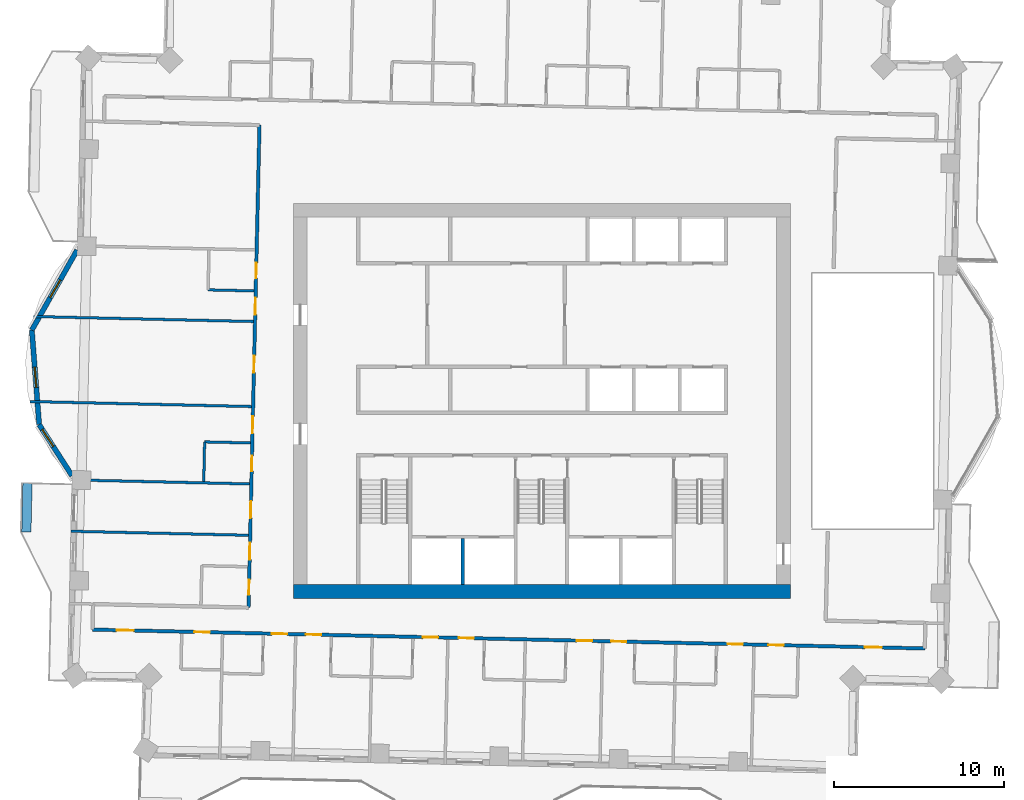
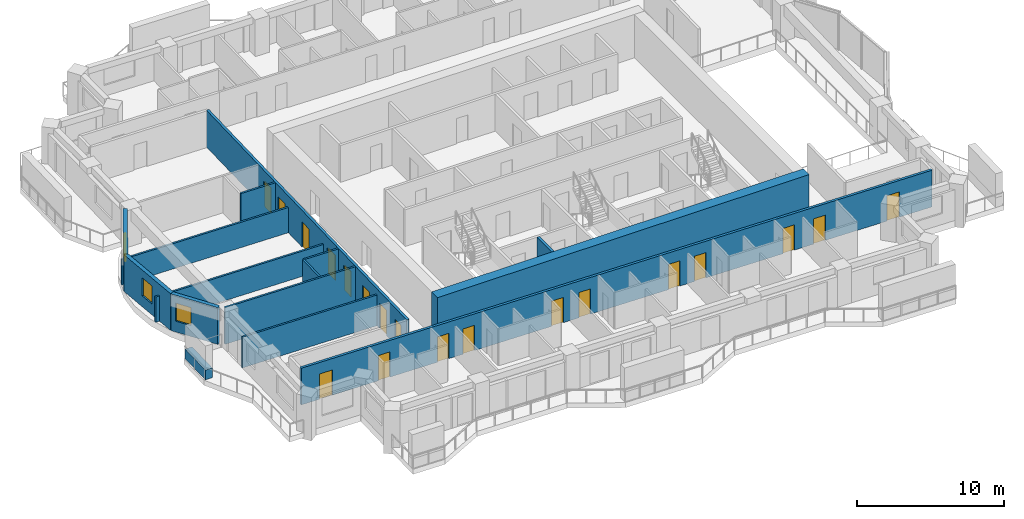
# One storey, part 7 of 16: 19 doors, 15 walls, 3 windows, 22 openings.
"""IFC4 building model written with IfcOpenShell, lengths in metres."""

from ifc_helpers import new_model, si_unit, direction, frame, frame_2d, origin, place, context, subcontext, project, spatial, rectangle, extrude, material, layer, layer_set, type_object, element, fill, save


model = new_model("IFC4")

# Units and contexts
model_context = context("Model", 3, precision=1e-05, world=origin(), true_north=direction((0.0, 1.0)))
body_context = subcontext(model_context, "Body", "Model", "MODEL_VIEW")
ifc_project = project(units=[si_unit("LENGTHUNIT", "METRE"), si_unit("AREAUNIT", "SQUARE_METRE"), si_unit("VOLUMEUNIT", "CUBIC_METRE"), si_unit("PLANEANGLEUNIT", "RADIAN"), si_unit("MASSUNIT", "GRAM", prefix="KILO")], contexts=[model_context])

# Site, building, storey
site_placement = place(None, origin())
site = spatial("IfcSite", under=ifc_project, at=site_placement, CompositionType="ELEMENT")
building_placement = place(site_placement, origin())
building = spatial("IfcBuilding", under=site, at=building_placement, Name="Mangrove Gate Tower", CompositionType="ELEMENT")
storey_placement = place(building_placement, frame((0.0, 0.0, 215.89990234375)))
storey = spatial("IfcBuildingStorey", under=building, at=storey_placement, Name="L55", CompositionType="ELEMENT", Elevation=215.89990234375)

# Walls
ifc_material_1 = material(Name="Concrete C60/75", Category="concrete")
ifc_layer_1 = layer(ifc_material_1, 0.199951171875)
ifc_layer_set_1 = layer_set([ifc_layer_1], Name="Core shaft wall 200 C60/75")
wall_type_1 = type_object("IfcWallType", Name="Core shaft wall 200 C60/75", PredefinedType="SHEAR", material=ifc_layer_set_1)
wall_1_placement = place(storey_placement, frame((-4.64990234375, -10.800048828125, 0.0), z_axis=(0.0, 0.0, 1.0), x_axis=(0.0, 1.0, 0.0)))
element("IfcWall", 1, at=wall_1_placement, inside=storey, type_object=wall_type_1, Name="WALL-L55-CORE-16", PredefinedType="SHEAR", context=body_context, shape_type="SweptSolid", body=[
    extrude(rectangle(XDim=2.699951171875, YDim=0.199951171875, at=frame_2d((1.35009765625, 0.0))), origin(), (0.0, 0.0, 1.0), 3.050048828125),
])
ifc_material_2 = material(Name="Concrete C60/75", Category="concrete")
ifc_layer_2 = layer(ifc_material_2, 0.800048828125)
ifc_layer_set_2 = layer_set([ifc_layer_2], Name="Core wall 800 C60/75")
wall_type_2 = type_object("IfcWallType", Name="Core wall 800 C60/75", PredefinedType="SHEAR", material=ifc_layer_set_2)
wall_2_placement = place(storey_placement, frame((-14.60009765625, -11.199951171875, 0.0), z_axis=(0.0, 0.0, 1.0), x_axis=(1.0, 0.0, 0.0)))
element("IfcWall", 2, at=wall_2_placement, inside=storey, type_object=wall_type_2, Name="WALL-L55-CORE-1", PredefinedType="SHEAR", context=body_context, shape_type="SweptSolid", body=[
    extrude(rectangle(XDim=29.2001953125, YDim=0.800048828125, at=frame_2d((14.60009765625, 0.0))), origin(), (0.0, 0.0, 1.0), 3.60009765625),
])

# Wall, openings, doors
ifc_material_3 = material(Name="Gypsum board on steel stud, EI 60", Category="steel")
ifc_layer_3 = layer(ifc_material_3, 0.199951171875)
ifc_layer_set_3 = layer_set([ifc_layer_3], Name="Corridor wall EI 60")
wall_type_3 = type_object("IfcWallType", Name="Corridor wall EI 60", PredefinedType="PARTITIONING", material=ifc_layer_set_3)
wall_3_placement = place(storey_placement, frame((-26.4208984375, -13.44091796875, 0.0), z_axis=(0.0, 0.0, 1.0), x_axis=(0.999742754064, -0.022680954485, 0.0)))
wall_3 = element("IfcWall", 3, at=wall_3_placement, inside=storey, type_object=wall_type_3, Name="WALL-L55-024", PredefinedType="PARTITIONING", context=body_context, shape_type="SweptSolid", body=[
    extrude(rectangle(XDim=48.944580078125, YDim=0.199951171875, at=frame_2d((24.47216796875, 0.0))), origin(), (0.0, 0.0, 1.0), 3.050048828125),
])
opening_1_placement = place(wall_3_placement, frame((1.425048828125, 0.0, 0.0)))
opening_1 = element("IfcOpeningElement", 4, at=opening_1_placement, cuts=wall_3, Name="Opening AD", PredefinedType="OPENING", context=body_context, shape_type="SweptSolid", body=[
    extrude(rectangle(XDim=1.0, YDim=2.10009765625, at=frame_2d((0.5, 1.050048828125))), frame((0.0, 0.10986328125, 0.0), z_axis=(0.0, -1.0, 0.0), x_axis=(1.0, 0.0, 0.0)), (0.0, 0.0, 1.0), 0.219970703125),
])
opening_2_placement = place(wall_3_placement, frame((6.0, 0.0, 0.0)))
opening_2 = element("IfcOpeningElement", 5, at=opening_2_placement, cuts=wall_3, Name="Opening SD", PredefinedType="OPENING", context=body_context, shape_type="SweptSolid", body=[
    extrude(rectangle(XDim=0.89990234375, YDim=2.10009765625, at=frame_2d((0.449951171875, 1.050048828125))), frame((0.0, 0.10986328125, 0.0), z_axis=(0.0, -1.0, 0.0), x_axis=(1.0, 0.0, 0.0)), (0.0, 0.0, 1.0), 0.219970703125),
])
opening_3_placement = place(wall_3_placement, frame((10.550048828125, 0.0, 0.0)))
opening_3 = element("IfcOpeningElement", 6, at=opening_3_placement, cuts=wall_3, Name="Opening BD", PredefinedType="OPENING", context=body_context, shape_type="SweptSolid", body=[
    extrude(rectangle(XDim=0.89990234375, YDim=2.10009765625, at=frame_2d((0.449951171875, 1.050048828125))), frame((0.0, 0.10986328125, 0.0), z_axis=(0.0, -1.0, 0.0), x_axis=(1.0, 0.0, 0.0)), (0.0, 0.0, 1.0), 0.219970703125),
])
opening_4_placement = place(wall_3_placement, frame((12.550048828125, 0.0, 0.0)))
opening_4 = element("IfcOpeningElement", 7, at=opening_4_placement, cuts=wall_3, Name="Opening BD", PredefinedType="OPENING", context=body_context, shape_type="SweptSolid", body=[
    extrude(rectangle(XDim=0.89990234375, YDim=2.10009765625, at=frame_2d((0.449951171875, 1.050048828125))), frame((0.0, 0.10986328125, 0.0), z_axis=(0.0, -1.0, 0.0), x_axis=(1.0, 0.0, 0.0)), (0.0, 0.0, 1.0), 0.219970703125),
])
opening_5_placement = place(wall_3_placement, frame((19.425048828125, 0.0, 0.0)))
opening_5 = element("IfcOpeningElement", 8, at=opening_5_placement, cuts=wall_3, Name="Opening BD", PredefinedType="OPENING", context=body_context, shape_type="SweptSolid", body=[
    extrude(rectangle(XDim=0.89990234375, YDim=2.10009765625, at=frame_2d((0.449951171875, 1.050048828125))), frame((0.0, 0.10986328125, 0.0), z_axis=(0.0, -1.0, 0.0), x_axis=(1.0, 0.0, 0.0)), (0.0, 0.0, 1.0), 0.219970703125),
])
opening_6_placement = place(wall_3_placement, frame((21.52490234375, 0.0, 0.0)))
opening_6 = element("IfcOpeningElement", 9, at=opening_6_placement, cuts=wall_3, Name="Opening BD", PredefinedType="OPENING", context=body_context, shape_type="SweptSolid", body=[
    extrude(rectangle(XDim=0.89990234375, YDim=2.10009765625, at=frame_2d((0.449951171875, 1.050048828125))), frame((0.0, 0.10986328125, 0.0), z_axis=(0.0, -1.0, 0.0), x_axis=(1.0, 0.0, 0.0)), (0.0, 0.0, 1.0), 0.219970703125),
])
opening_7_placement = place(wall_3_placement, frame((28.47509765625, 0.0, 0.0)))
opening_7 = element("IfcOpeningElement", 10, at=opening_7_placement, cuts=wall_3, Name="Opening BD", PredefinedType="OPENING", context=body_context, shape_type="SweptSolid", body=[
    extrude(rectangle(XDim=0.89990234375, YDim=2.10009765625, at=frame_2d((0.449951171875, 1.050048828125))), frame((0.0, 0.10986328125, 0.0), z_axis=(0.0, -1.0, 0.0), x_axis=(1.0, 0.0, 0.0)), (0.0, 0.0, 1.0), 0.219970703125),
])
opening_8_placement = place(wall_3_placement, frame((30.5, 0.0, 0.0)))
opening_8 = element("IfcOpeningElement", 11, at=opening_8_placement, cuts=wall_3, Name="Opening BD", PredefinedType="OPENING", context=body_context, shape_type="SweptSolid", body=[
    extrude(rectangle(XDim=0.89990234375, YDim=2.10009765625, at=frame_2d((0.449951171875, 1.050048828125))), frame((0.0, 0.10986328125, 0.0), z_axis=(0.0, -1.0, 0.0), x_axis=(1.0, 0.0, 0.0)), (0.0, 0.0, 1.0), 0.219970703125),
])
opening_9_placement = place(wall_3_placement, frame((37.35009765625, 0.0, 0.0)))
opening_9 = element("IfcOpeningElement", 12, at=opening_9_placement, cuts=wall_3, Name="Opening BD", PredefinedType="OPENING", context=body_context, shape_type="SweptSolid", body=[
    extrude(rectangle(XDim=0.89990234375, YDim=2.10009765625, at=frame_2d((0.449951171875, 1.050048828125))), frame((0.0, 0.10986328125, 0.0), z_axis=(0.0, -1.0, 0.0), x_axis=(1.0, 0.0, 0.0)), (0.0, 0.0, 1.0), 0.219970703125),
])
opening_10_placement = place(wall_3_placement, frame((45.422119140625, 0.0, 0.0)))
opening_10 = element("IfcOpeningElement", 13, at=opening_10_placement, cuts=wall_3, Name="Opening AD", PredefinedType="OPENING", context=body_context, shape_type="SweptSolid", body=[
    extrude(rectangle(XDim=1.0, YDim=2.10009765625, at=frame_2d((0.5, 1.050048828125))), frame((0.0, 0.10986328125, 0.0), z_axis=(0.0, -1.0, 0.0), x_axis=(1.0, 0.0, 0.0)), (0.0, 0.0, 1.0), 0.219970703125),
])
opening_11_placement = place(wall_3_placement, frame((39.75, 0.0, 0.0)))
opening_11 = element("IfcOpeningElement", 14, at=opening_11_placement, cuts=wall_3, Name="Opening SD", PredefinedType="OPENING", context=body_context, shape_type="SweptSolid", body=[
    extrude(rectangle(XDim=0.89990234375, YDim=2.10009765625, at=frame_2d((0.449951171875, 1.050048828125))), frame((0.0, 0.10986328125, 0.0), z_axis=(0.0, -1.0, 0.0), x_axis=(1.0, 0.0, 0.0)), (0.0, 0.0, 1.0), 0.219970703125),
])
ifc_material_4 = material(Name="Timber door leaf", Category="wood")
door_type_1 = type_object("IfcDoorType", Name="Amenity door 1000", OperationType="SINGLE_SWING_LEFT", PredefinedType="DOOR", material=ifc_material_4)
door_1_placement = place(opening_1_placement, origin())
door_1 = element("IfcDoor", 15, at=door_1_placement, inside=storey, type_object=door_type_1, Name="DOOR-L55-LNG-c1a", OperationType="SINGLE_SWING_LEFT", OverallHeight=2.10009765625, OverallWidth=1.0, PredefinedType="DOOR", context=body_context, shape_type="SweptSolid", body=[
    extrude(rectangle(XDim=1.0, YDim=2.10009765625, at=frame_2d((0.5, 1.050048828125))), frame((0.0, 0.02490234375, 0.0), z_axis=(0.0, -1.0, 0.0), x_axis=(1.0, 0.0, 0.0)), (0.0, 0.0, 1.0), 0.050048828125),
])
fill(opening_1, door_1)
door_2_placement = place(opening_10_placement, origin())
door_2 = element("IfcDoor", 16, at=door_2_placement, inside=storey, type_object=door_type_1, Name="DOOR-L55-GAM-c3a", OperationType="SINGLE_SWING_RIGHT", OverallHeight=2.10009765625, OverallWidth=1.0, PredefinedType="DOOR", context=body_context, shape_type="SweptSolid", body=[
    extrude(rectangle(XDim=1.0, YDim=2.10009765625, at=frame_2d((0.5, 1.050048828125))), frame((0.0, 0.02490234375, 0.0), z_axis=(0.0, -1.0, 0.0), x_axis=(1.0, 0.0, 0.0)), (0.0, 0.0, 1.0), 0.050048828125),
])
fill(opening_10, door_2)
ifc_material_5 = material(Name="Timber door leaf", Category="wood")
door_type_2 = type_object("IfcDoorType", Name="Bedroom door 900", OperationType="SINGLE_SWING_LEFT", PredefinedType="DOOR", material=ifc_material_5)
door_3_placement = place(opening_3_placement, origin())
door_3 = element("IfcDoor", 17, at=door_3_placement, inside=storey, type_object=door_type_2, Name="DOOR-L55-BED-c101", OperationType="SINGLE_SWING_LEFT", OverallHeight=2.10009765625, OverallWidth=0.89990234375, PredefinedType="DOOR", context=body_context, shape_type="SweptSolid", body=[
    extrude(rectangle(XDim=0.89990234375, YDim=2.10009765625, at=frame_2d((0.449951171875, 1.050048828125))), frame((0.0, 0.02490234375, 0.0), z_axis=(0.0, -1.0, 0.0), x_axis=(1.0, 0.0, 0.0)), (0.0, 0.0, 1.0), 0.050048828125),
])
fill(opening_3, door_3)
door_4_placement = place(opening_4_placement, origin())
door_4 = element("IfcDoor", 18, at=door_4_placement, inside=storey, type_object=door_type_2, Name="DOOR-L55-BED-c102", OperationType="SINGLE_SWING_RIGHT", OverallHeight=2.10009765625, OverallWidth=0.89990234375, PredefinedType="DOOR", context=body_context, shape_type="SweptSolid", body=[
    extrude(rectangle(XDim=0.89990234375, YDim=2.10009765625, at=frame_2d((0.449951171875, 1.050048828125))), frame((0.0, 0.02490234375, 0.0), z_axis=(0.0, -1.0, 0.0), x_axis=(1.0, 0.0, 0.0)), (0.0, 0.0, 1.0), 0.050048828125),
])
fill(opening_4, door_4)
door_5_placement = place(opening_5_placement, origin())
door_5 = element("IfcDoor", 19, at=door_5_placement, inside=storey, type_object=door_type_2, Name="DOOR-L55-BED-c103", OperationType="SINGLE_SWING_LEFT", OverallHeight=2.10009765625, OverallWidth=0.89990234375, PredefinedType="DOOR", context=body_context, shape_type="SweptSolid", body=[
    extrude(rectangle(XDim=0.89990234375, YDim=2.10009765625, at=frame_2d((0.449951171875, 1.050048828125))), frame((0.0, 0.02490234375, 0.0), z_axis=(0.0, -1.0, 0.0), x_axis=(1.0, 0.0, 0.0)), (0.0, 0.0, 1.0), 0.050048828125),
])
fill(opening_5, door_5)
door_6_placement = place(opening_6_placement, origin())
door_6 = element("IfcDoor", 20, at=door_6_placement, inside=storey, type_object=door_type_2, Name="DOOR-L55-BED-c204", OperationType="SINGLE_SWING_RIGHT", OverallHeight=2.10009765625, OverallWidth=0.89990234375, PredefinedType="DOOR", context=body_context, shape_type="SweptSolid", body=[
    extrude(rectangle(XDim=0.89990234375, YDim=2.10009765625, at=frame_2d((0.449951171875, 1.050048828125))), frame((0.0, 0.02490234375, 0.0), z_axis=(0.0, -1.0, 0.0), x_axis=(1.0, 0.0, 0.0)), (0.0, 0.0, 1.0), 0.050048828125),
])
fill(opening_6, door_6)
door_7_placement = place(opening_7_placement, origin())
door_7 = element("IfcDoor", 21, at=door_7_placement, inside=storey, type_object=door_type_2, Name="DOOR-L55-BED-c205", OperationType="SINGLE_SWING_LEFT", OverallHeight=2.10009765625, OverallWidth=0.89990234375, PredefinedType="DOOR", context=body_context, shape_type="SweptSolid", body=[
    extrude(rectangle(XDim=0.89990234375, YDim=2.10009765625, at=frame_2d((0.449951171875, 1.050048828125))), frame((0.0, 0.02490234375, 0.0), z_axis=(0.0, -1.0, 0.0), x_axis=(1.0, 0.0, 0.0)), (0.0, 0.0, 1.0), 0.050048828125),
])
fill(opening_7, door_7)
door_8_placement = place(opening_8_placement, origin())
door_8 = element("IfcDoor", 22, at=door_8_placement, inside=storey, type_object=door_type_2, Name="DOOR-L55-BED-c206", OperationType="SINGLE_SWING_RIGHT", OverallHeight=2.10009765625, OverallWidth=0.89990234375, PredefinedType="DOOR", context=body_context, shape_type="SweptSolid", body=[
    extrude(rectangle(XDim=0.89990234375, YDim=2.10009765625, at=frame_2d((0.449951171875, 1.050048828125))), frame((0.0, 0.02490234375, 0.0), z_axis=(0.0, -1.0, 0.0), x_axis=(1.0, 0.0, 0.0)), (0.0, 0.0, 1.0), 0.050048828125),
])
fill(opening_8, door_8)
door_9_placement = place(opening_9_placement, origin())
door_9 = element("IfcDoor", 23, at=door_9_placement, inside=storey, type_object=door_type_2, Name="DOOR-L55-BED-c307", OperationType="SINGLE_SWING_LEFT", OverallHeight=2.10009765625, OverallWidth=0.89990234375, PredefinedType="DOOR", context=body_context, shape_type="SweptSolid", body=[
    extrude(rectangle(XDim=0.89990234375, YDim=2.10009765625, at=frame_2d((0.449951171875, 1.050048828125))), frame((0.0, 0.02490234375, 0.0), z_axis=(0.0, -1.0, 0.0), x_axis=(1.0, 0.0, 0.0)), (0.0, 0.0, 1.0), 0.050048828125),
])
fill(opening_9, door_9)
ifc_material_6 = material(Name="Timber door leaf", Category="wood")
door_type_3 = type_object("IfcDoorType", Name="Service room door 900", OperationType="SINGLE_SWING_LEFT", PredefinedType="DOOR", material=ifc_material_6)
door_10_placement = place(opening_2_placement, origin())
door_10 = element("IfcDoor", 24, at=door_10_placement, inside=storey, type_object=door_type_3, Name="DOOR-L55-LIN-c1a", OperationType="SINGLE_SWING_LEFT", OverallHeight=2.10009765625, OverallWidth=0.89990234375, PredefinedType="DOOR", context=body_context, shape_type="SweptSolid", body=[
    extrude(rectangle(XDim=0.89990234375, YDim=2.10009765625, at=frame_2d((0.449951171875, 1.050048828125))), frame((0.0, 0.02490234375, 0.0), z_axis=(0.0, -1.0, 0.0), x_axis=(1.0, 0.0, 0.0)), (0.0, 0.0, 1.0), 0.050048828125),
])
fill(opening_2, door_10)
door_11_placement = place(opening_11_placement, origin())
door_11 = element("IfcDoor", 25, at=door_11_placement, inside=storey, type_object=door_type_3, Name="DOOR-L55-AWC-c3a", OperationType="SINGLE_SWING_RIGHT", OverallHeight=2.10009765625, OverallWidth=0.89990234375, PredefinedType="DOOR", context=body_context, shape_type="SweptSolid", body=[
    extrude(rectangle(XDim=0.89990234375, YDim=2.10009765625, at=frame_2d((0.449951171875, 1.050048828125))), frame((0.0, 0.02490234375, 0.0), z_axis=(0.0, -1.0, 0.0), x_axis=(1.0, 0.0, 0.0)), (0.0, 0.0, 1.0), 0.050048828125),
])
fill(opening_11, door_11)

wall_4_placement = place(storey_placement, frame((-17.2470703125, -12.14892578125, 0.0), z_axis=(0.0, 0.0, 1.0), x_axis=(0.022698146637, 0.999742363881, 0.0)))
wall_4 = element("IfcWall", 26, at=wall_4_placement, inside=storey, type_object=wall_type_3, Name="WALL-L55-030", PredefinedType="PARTITIONING", context=body_context, shape_type="SweptSolid", body=[
    extrude(rectangle(XDim=28.374267578125, YDim=0.199951171875, at=frame_2d((14.18701171875, 0.0))), origin(), (0.0, 0.0, 1.0), 3.050048828125),
])
opening_12_placement = place(wall_4_placement, frame((17.22509765625, 0.0, 0.0)))
opening_12 = element("IfcOpeningElement", 27, at=opening_12_placement, cuts=wall_4, Name="Opening AD", PredefinedType="OPENING", context=body_context, shape_type="SweptSolid", body=[
    extrude(rectangle(XDim=1.0, YDim=2.10009765625, at=frame_2d((0.5, 1.050048828125))), frame((0.0, 0.10986328125, 0.0), z_axis=(0.0, -1.0, 0.0), x_axis=(1.0, 0.0, 0.0)), (0.0, 0.0, 1.0), 0.219970703125),
])
opening_13_placement = place(wall_4_placement, frame((19.375, 0.0, 0.0)))
opening_13 = element("IfcOpeningElement", 28, at=opening_13_placement, cuts=wall_4, Name="Opening SD", PredefinedType="OPENING", context=body_context, shape_type="SweptSolid", body=[
    extrude(rectangle(XDim=0.89990234375, YDim=2.10009765625, at=frame_2d((0.449951171875, 1.050048828125))), frame((0.0, 0.10986328125, 0.0), z_axis=(0.0, -1.0, 0.0), x_axis=(1.0, 0.0, 0.0)), (0.0, 0.0, 1.0), 0.219970703125),
])
opening_14_placement = place(wall_4_placement, frame((13.822021484375, 0.0, 0.0)))
opening_14 = element("IfcOpeningElement", 29, at=opening_14_placement, cuts=wall_4, Name="Opening AD", PredefinedType="OPENING", context=body_context, shape_type="SweptSolid", body=[
    extrude(rectangle(XDim=1.0, YDim=2.10009765625, at=frame_2d((0.5, 1.050048828125))), frame((0.0, 0.10986328125, 0.0), z_axis=(0.0, -1.0, 0.0), x_axis=(1.0, 0.0, 0.0)), (0.0, 0.0, 1.0), 0.219970703125),
])
opening_15_placement = place(wall_4_placement, frame((10.25, 0.0, 0.0)))
opening_15 = element("IfcOpeningElement", 30, at=opening_15_placement, cuts=wall_4, Name="Opening AD", PredefinedType="OPENING", context=body_context, shape_type="SweptSolid", body=[
    extrude(rectangle(XDim=1.0, YDim=2.10009765625, at=frame_2d((0.5, 1.050048828125))), frame((0.0, 0.10986328125, 0.0), z_axis=(0.0, -1.0, 0.0), x_axis=(1.0, 0.0, 0.0)), (0.0, 0.0, 1.0), 0.219970703125),
])
opening_16_placement = place(wall_4_placement, frame((8.02490234375, 0.0, 0.0)))
opening_16 = element("IfcOpeningElement", 31, at=opening_16_placement, cuts=wall_4, Name="Opening SD", PredefinedType="OPENING", context=body_context, shape_type="SweptSolid", body=[
    extrude(rectangle(XDim=0.89990234375, YDim=2.10009765625, at=frame_2d((0.449951171875, 1.050048828125))), frame((0.0, 0.10986328125, 0.0), z_axis=(0.0, -1.0, 0.0), x_axis=(1.0, 0.0, 0.0)), (0.0, 0.0, 1.0), 0.219970703125),
])
opening_17_placement = place(wall_4_placement, frame((5.261962890625, 0.0, 0.0)))
opening_17 = element("IfcOpeningElement", 32, at=opening_17_placement, cuts=wall_4, Name="Opening AD", PredefinedType="OPENING", context=body_context, shape_type="SweptSolid", body=[
    extrude(rectangle(XDim=1.0, YDim=2.10009765625, at=frame_2d((0.5, 1.050048828125))), frame((0.0, 0.10986328125, 0.0), z_axis=(0.0, -1.0, 0.0), x_axis=(1.0, 0.0, 0.0)), (0.0, 0.0, 1.0), 0.219970703125),
])
opening_18_placement = place(wall_4_placement, frame((2.824951171875, 0.0, 0.0)))
opening_18 = element("IfcOpeningElement", 33, at=opening_18_placement, cuts=wall_4, Name="Opening AD", PredefinedType="OPENING", context=body_context, shape_type="SweptSolid", body=[
    extrude(rectangle(XDim=1.0, YDim=2.10009765625, at=frame_2d((0.5, 1.050048828125))), frame((0.0, 0.10986328125, 0.0), z_axis=(0.0, -1.0, 0.0), x_axis=(1.0, 0.0, 0.0)), (0.0, 0.0, 1.0), 0.219970703125),
])
opening_19_placement = place(wall_4_placement, frame((0.75, 0.0, 0.0)))
opening_19 = element("IfcOpeningElement", 34, at=opening_19_placement, cuts=wall_4, Name="Opening SD", PredefinedType="OPENING", context=body_context, shape_type="SweptSolid", body=[
    extrude(rectangle(XDim=0.89990234375, YDim=2.10009765625, at=frame_2d((0.449951171875, 1.050048828125))), frame((0.0, 0.10986328125, 0.0), z_axis=(0.0, -1.0, 0.0), x_axis=(1.0, 0.0, 0.0)), (0.0, 0.0, 1.0), 0.219970703125),
])
door_12_placement = place(opening_12_placement, origin())
door_12 = element("IfcDoor", 35, at=door_12_placement, inside=storey, type_object=door_type_1, Name="DOOR-L55-STU-c5a", OperationType="SINGLE_SWING_RIGHT", OverallHeight=2.10009765625, OverallWidth=1.0, PredefinedType="DOOR", context=body_context, shape_type="SweptSolid", body=[
    extrude(rectangle(XDim=1.0, YDim=2.10009765625, at=frame_2d((0.5, 1.050048828125))), frame((0.0, 0.02490234375, 0.0), z_axis=(0.0, -1.0, 0.0), x_axis=(1.0, 0.0, 0.0)), (0.0, 0.0, 1.0), 0.050048828125),
])
fill(opening_12, door_12)
door_13_placement = place(opening_14_placement, origin())
door_13 = element("IfcDoor", 36, at=door_13_placement, inside=storey, type_object=door_type_1, Name="DOOR-L55-LNG-c5c", OperationType="SINGLE_SWING_LEFT", OverallHeight=2.10009765625, OverallWidth=1.0, PredefinedType="DOOR", context=body_context, shape_type="SweptSolid", body=[
    extrude(rectangle(XDim=1.0, YDim=2.10009765625, at=frame_2d((0.5, 1.050048828125))), frame((0.0, 0.02490234375, 0.0), z_axis=(0.0, -1.0, 0.0), x_axis=(1.0, 0.0, 0.0)), (0.0, 0.0, 1.0), 0.050048828125),
])
fill(opening_14, door_13)
door_14_placement = place(opening_15_placement, origin())
door_14 = element("IfcDoor", 37, at=door_14_placement, inside=storey, type_object=door_type_1, Name="DOOR-L55-LNG-c5d", OperationType="SINGLE_SWING_RIGHT", OverallHeight=2.10009765625, OverallWidth=1.0, PredefinedType="DOOR", context=body_context, shape_type="SweptSolid", body=[
    extrude(rectangle(XDim=1.0, YDim=2.10009765625, at=frame_2d((0.5, 1.050048828125))), frame((0.0, 0.02490234375, 0.0), z_axis=(0.0, -1.0, 0.0), x_axis=(1.0, 0.0, 0.0)), (0.0, 0.0, 1.0), 0.050048828125),
])
fill(opening_15, door_14)
door_15_placement = place(opening_17_placement, origin())
door_15 = element("IfcDoor", 38, at=door_15_placement, inside=storey, type_object=door_type_1, Name="DOOR-L55-STU-c5b", OperationType="SINGLE_SWING_LEFT", OverallHeight=2.10009765625, OverallWidth=1.0, PredefinedType="DOOR", context=body_context, shape_type="SweptSolid", body=[
    extrude(rectangle(XDim=1.0, YDim=2.10009765625, at=frame_2d((0.5, 1.050048828125))), frame((0.0, 0.02490234375, 0.0), z_axis=(0.0, -1.0, 0.0), x_axis=(1.0, 0.0, 0.0)), (0.0, 0.0, 1.0), 0.050048828125),
])
fill(opening_17, door_15)
door_16_placement = place(opening_18_placement, origin())
door_16 = element("IfcDoor", 39, at=door_16_placement, inside=storey, type_object=door_type_1, Name="DOOR-L55-LNG-c5e", OperationType="SINGLE_SWING_RIGHT", OverallHeight=2.10009765625, OverallWidth=1.0, PredefinedType="DOOR", context=body_context, shape_type="SweptSolid", body=[
    extrude(rectangle(XDim=1.0, YDim=2.10009765625, at=frame_2d((0.5, 1.050048828125))), frame((0.0, 0.02490234375, 0.0), z_axis=(0.0, -1.0, 0.0), x_axis=(1.0, 0.0, 0.0)), (0.0, 0.0, 1.0), 0.050048828125),
])
fill(opening_18, door_16)
door_17_placement = place(opening_13_placement, origin())
door_17 = element("IfcDoor", 40, at=door_17_placement, inside=storey, type_object=door_type_3, Name="DOOR-L55-WC-c5a", OperationType="SINGLE_SWING_RIGHT", OverallHeight=2.10009765625, OverallWidth=0.89990234375, PredefinedType="DOOR", context=body_context, shape_type="SweptSolid", body=[
    extrude(rectangle(XDim=0.89990234375, YDim=2.10009765625, at=frame_2d((0.449951171875, 1.050048828125))), frame((0.0, 0.02490234375, 0.0), z_axis=(0.0, -1.0, 0.0), x_axis=(1.0, 0.0, 0.0)), (0.0, 0.0, 1.0), 0.050048828125),
])
fill(opening_13, door_17)
door_18_placement = place(opening_16_placement, origin())
door_18 = element("IfcDoor", 41, at=door_18_placement, inside=storey, type_object=door_type_3, Name="DOOR-L55-WC-c5b", OperationType="SINGLE_SWING_LEFT", OverallHeight=2.10009765625, OverallWidth=0.89990234375, PredefinedType="DOOR", context=body_context, shape_type="SweptSolid", body=[
    extrude(rectangle(XDim=0.89990234375, YDim=2.10009765625, at=frame_2d((0.449951171875, 1.050048828125))), frame((0.0, 0.02490234375, 0.0), z_axis=(0.0, -1.0, 0.0), x_axis=(1.0, 0.0, 0.0)), (0.0, 0.0, 1.0), 0.050048828125),
])
fill(opening_16, door_18)
door_19_placement = place(opening_19_placement, origin())
door_19 = element("IfcDoor", 42, at=door_19_placement, inside=storey, type_object=door_type_3, Name="DOOR-L55-WC-c5c", OperationType="SINGLE_SWING_RIGHT", OverallHeight=2.10009765625, OverallWidth=0.89990234375, PredefinedType="DOOR", context=body_context, shape_type="SweptSolid", body=[
    extrude(rectangle(XDim=0.89990234375, YDim=2.10009765625, at=frame_2d((0.449951171875, 1.050048828125))), frame((0.0, 0.02490234375, 0.0), z_axis=(0.0, -1.0, 0.0), x_axis=(1.0, 0.0, 0.0)), (0.0, 0.0, 1.0), 0.050048828125),
])
fill(opening_19, door_19)

# Wall, opening, window
ifc_material_7 = material(Name="Limestone", Category="masonry")
ifc_layer_4 = layer(ifc_material_7, 0.0400390625, Name="Limestone cladding")
ifc_material_8 = material(Name="Ventilated air gap")
ifc_layer_5 = layer(ifc_material_8, 0.0400390625, Name="Ventilated cavity")
ifc_material_9 = material(Name="Mineral wool insulation")
ifc_layer_6 = layer(ifc_material_9, 0.06005859375, Name="Insulation")
ifc_material_10 = material(Name="Breather membrane")
ifc_layer_7 = layer(ifc_material_10, 0.001953125, Name="Breather membrane")
ifc_material_11 = material(Name="Concrete C20/25 blockwork", Category="masonry")
ifc_layer_8 = layer(ifc_material_11, 0.14990234375, Name="Blockwork backing wall")
ifc_material_12 = material(Name="Gypsum plaster")
ifc_layer_9 = layer(ifc_material_12, 0.008056640625, Name="Internal plaster")
ifc_layer_set_4 = layer_set([ifc_layer_4, ifc_layer_5, ifc_layer_6, ifc_layer_7, ifc_layer_8, ifc_layer_9], Name="External wall 300 limestone cladding")
wall_type_4 = type_object("IfcWallType", Name="External wall 300 limestone cladding", PredefinedType="SOLIDWALL", material=ifc_layer_set_4)
wall_5_placement = place(storey_placement, frame((-27.324951171875, 8.865966796875, 0.0), z_axis=(0.0, 0.0, 1.0), x_axis=(-0.492554919955, -0.870281363025, 0.0)))
wall_5 = element("IfcWall", 43, at=wall_5_placement, inside=storey, type_object=wall_type_4, Name="WALL-L55-W9f1", PredefinedType="SOLIDWALL", context=body_context, shape_type="SweptSolid", body=[
    extrude(rectangle(XDim=5.398193359375, YDim=0.300048828125, at=frame_2d((2.69921875, 0.0))), origin(), (0.0, 0.0, 1.0), 3.050048828125),
])
opening_20_placement = place(wall_5_placement, frame((2.008056640625, 0.0, 0.89990234375)))
opening_20 = element("IfcOpeningElement", 44, at=opening_20_placement, cuts=wall_5, Name="Opening W1", PredefinedType="OPENING", context=body_context, shape_type="SweptSolid", body=[
    extrude(rectangle(XDim=1.199951171875, YDim=1.5, at=frame_2d((0.60009765625, 0.75))), frame((0.0, 0.159912109375, 0.0), z_axis=(0.0, -1.0, 0.0), x_axis=(1.0, 0.0, 0.0)), (0.0, 0.0, 1.0), 0.320068359375),
])
ifc_material_13 = material(Name="Aluminium frame with double-glazed low-e glass", Category="aluminium")
window_type = type_object("IfcWindowType", Name="Side lite 1200x1500", PartitioningType="SINGLE_PANEL", PredefinedType="WINDOW", material=ifc_material_13)
window_1_placement = place(opening_20_placement, origin())
window_1 = element("IfcWindow", 45, at=window_1_placement, inside=storey, type_object=window_type, Name="WIN-L55-W9f1", OverallHeight=1.5, OverallWidth=1.199951171875, PartitioningType="SINGLE_PANEL", PredefinedType="WINDOW", context=body_context, shape_type="SweptSolid", body=[
    extrude(rectangle(XDim=1.199951171875, YDim=1.5, at=frame_2d((0.60009765625, 0.75))), frame((0.0, 0.030029296875, 0.0), z_axis=(0.0, -1.0, 0.0), x_axis=(1.0, 0.0, 0.0)), (0.0, 0.0, 1.0), 0.06005859375),
])
fill(opening_20, window_1)

wall_6_placement = place(storey_placement, frame((-29.98388671875, 4.16796875, 0.0), z_axis=(0.0, 0.0, 1.0), x_axis=(0.076964476481, -0.997033835614, 0.0)))
wall_6 = element("IfcWall", 46, at=wall_6_placement, inside=storey, type_object=wall_type_4, Name="WALL-L55-W9f2", PredefinedType="SOLIDWALL", context=body_context, shape_type="SweptSolid", body=[
    extrude(rectangle(XDim=5.573486328125, YDim=0.300048828125, at=frame_2d((2.78662109375, 0.0))), origin(), (0.0, 0.0, 1.0), 3.050048828125),
])
opening_21_placement = place(wall_6_placement, frame((2.18603515625, 0.0, 0.89990234375)))
opening_21 = element("IfcOpeningElement", 47, at=opening_21_placement, cuts=wall_6, Name="Opening W1", PredefinedType="OPENING", context=body_context, shape_type="SweptSolid", body=[
    extrude(rectangle(XDim=1.199951171875, YDim=1.5, at=frame_2d((0.60009765625, 0.75))), frame((0.0, 0.159912109375, 0.0), z_axis=(0.0, -1.0, 0.0), x_axis=(1.0, 0.0, 0.0)), (0.0, 0.0, 1.0), 0.320068359375),
])
window_2_placement = place(opening_21_placement, origin())
window_2 = element("IfcWindow", 48, at=window_2_placement, inside=storey, type_object=window_type, Name="WIN-L55-W9f2", OverallHeight=1.5, OverallWidth=1.199951171875, PartitioningType="SINGLE_PANEL", PredefinedType="WINDOW", context=body_context, shape_type="SweptSolid", body=[
    extrude(rectangle(XDim=1.199951171875, YDim=1.5, at=frame_2d((0.60009765625, 0.75))), frame((0.0, 0.030029296875, 0.0), z_axis=(0.0, -1.0, 0.0), x_axis=(1.0, 0.0, 0.0)), (0.0, 0.0, 1.0), 0.06005859375),
])
fill(opening_21, window_2)

wall_7_placement = place(storey_placement, frame((-29.554931640625, -1.388916015625, 0.0), z_axis=(0.0, 0.0, 1.0), x_axis=(0.540622779574, -0.8412651248, 0.0)))
wall_7 = element("IfcWall", 49, at=wall_7_placement, inside=storey, type_object=wall_type_4, Name="WALL-L55-W9f3", PredefinedType="SOLIDWALL", context=body_context, shape_type="SweptSolid", body=[
    extrude(rectangle(XDim=3.56982421875, YDim=0.300048828125, at=frame_2d((1.784912109375, 0.0))), origin(), (0.0, 0.0, 1.0), 3.050048828125),
])
opening_22_placement = place(wall_7_placement, frame((0.337890625, 0.0, 0.89990234375)))
opening_22 = element("IfcOpeningElement", 50, at=opening_22_placement, cuts=wall_7, Name="Opening W1", PredefinedType="OPENING", context=body_context, shape_type="SweptSolid", body=[
    extrude(rectangle(XDim=1.199951171875, YDim=1.5, at=frame_2d((0.60009765625, 0.75))), frame((0.0, 0.159912109375, 0.0), z_axis=(0.0, -1.0, 0.0), x_axis=(1.0, 0.0, 0.0)), (0.0, 0.0, 1.0), 0.320068359375),
])
window_3_placement = place(opening_22_placement, origin())
window_3 = element("IfcWindow", 51, at=window_3_placement, inside=storey, type_object=window_type, Name="WIN-L55-W9f3", OverallHeight=1.5, OverallWidth=1.199951171875, PartitioningType="SINGLE_PANEL", PredefinedType="WINDOW", context=body_context, shape_type="SweptSolid", body=[
    extrude(rectangle(XDim=1.199951171875, YDim=1.5, at=frame_2d((0.60009765625, 0.75))), frame((0.0, 0.030029296875, 0.0), z_axis=(0.0, -1.0, 0.0), x_axis=(1.0, 0.0, 0.0)), (0.0, 0.0, 1.0), 0.06005859375),
])
fill(opening_22, window_3)

# Walls
ifc_material_14 = material(Name="Gypsum board on steel stud, EI 60", Category="steel")
ifc_layer_10 = layer(ifc_material_14, 0.14990234375)
ifc_layer_set_5 = layer_set([ifc_layer_10], Name="Party wall 150 EI 60")
wall_type_5 = type_object("IfcWallType", Name="Party wall 150 EI 60", PredefinedType="PARTITIONING", material=ifc_layer_set_5)
wall_8_placement = place(storey_placement, frame((-27.68994140625, -7.659912109375, 0.0), z_axis=(0.0, 0.0, 1.0), x_axis=(0.99974219758, -0.022705470222, 0.0)))
element("IfcWall", 52, at=wall_8_placement, inside=storey, type_object=wall_type_5, Name="WALL-L55-035", PredefinedType="PARTITIONING", context=body_context, shape_type="SweptSolid", body=[
    extrude(rectangle(XDim=10.440673828125, YDim=0.14990234375, at=frame_2d((5.22021484375, 0.0))), origin(), (0.0, 0.0, 1.0), 2.550048828125),
])
wall_9_placement = place(storey_placement, frame((-27.322021484375, -4.64794921875, 0.0), z_axis=(0.0, 0.0, 1.0), x_axis=(0.999742841246, -0.022677111331, 0.0)))
element("IfcWall", 53, at=wall_9_placement, inside=storey, type_object=wall_type_5, Name="WALL-L55-036", PredefinedType="PARTITIONING", context=body_context, shape_type="SweptSolid", body=[
    extrude(rectangle(XDim=10.1416015625, YDim=0.14990234375, at=frame_2d((5.07080078125, 0.0))), origin(), (0.0, 0.0, 1.0), 3.050048828125),
])
wall_10_placement = place(storey_placement, frame((-19.8798828125, -4.737060546875, 0.0), z_axis=(0.0, 0.0, 1.0), x_axis=(0.02279059109, 0.999740260747, 0.0)))
element("IfcWall", 54, at=wall_10_placement, inside=storey, type_object=wall_type_5, Name="WALL-L55-037", PredefinedType="PARTITIONING", context=body_context, shape_type="SweptSolid", body=[
    extrude(rectangle(XDim=2.324462890625, YDim=0.14990234375, at=frame_2d((1.162109375, 0.0))), origin(), (0.0, 0.0, 1.0), 3.050048828125),
])
wall_11_placement = place(storey_placement, frame((-19.827880859375, -2.407958984375, 0.0), z_axis=(0.0, 0.0, 1.0), x_axis=(0.99974458177, -0.022600248254, 0.0)))
element("IfcWall", 55, at=wall_11_placement, inside=storey, type_object=wall_type_5, Name="WALL-L55-038", PredefinedType="PARTITIONING", context=body_context, shape_type="SweptSolid", body=[
    extrude(rectangle(XDim=2.70068359375, YDim=0.14990234375, at=frame_2d((1.350341796875, 0.0))), origin(), (0.0, 0.0, 1.0), 3.050048828125),
])
wall_12_placement = place(storey_placement, frame((-30.096923828125, -0.033935546875, 0.0), z_axis=(0.0, 0.0, 1.0), x_axis=(0.999743005544, -0.022669866904, 0.0)))
element("IfcWall", 56, at=wall_12_placement, inside=storey, type_object=wall_type_5, Name="WALL-L55-039", PredefinedType="PARTITIONING", context=body_context, shape_type="SweptSolid", body=[
    extrude(rectangle(XDim=13.020263671875, YDim=0.14990234375, at=frame_2d((6.51025390625, 0.0))), origin(), (0.0, 0.0, 1.0), 2.10009765625),
])
wall_13_placement = place(storey_placement, frame((-29.875, 4.9619140625, 0.0), z_axis=(0.0, 0.0, 1.0), x_axis=(0.999742567124, -0.022689193013, 0.0)))
element("IfcWall", 57, at=wall_13_placement, inside=storey, type_object=wall_type_5, Name="WALL-L55-040", PredefinedType="PARTITIONING", context=body_context, shape_type="SweptSolid", body=[
    extrude(rectangle(XDim=12.912353515625, YDim=0.14990234375, at=frame_2d((6.4560546875, 0.0))), origin(), (0.0, 0.0, 1.0), 2.10009765625),
])
wall_14_placement = place(storey_placement, frame((-19.625, 6.530029296875, 0.0), z_axis=(0.0, 0.0, 1.0), x_axis=(0.999744396973, -0.02260842146, 0.0)))
element("IfcWall", 58, at=wall_14_placement, inside=storey, type_object=wall_type_5, Name="WALL-L55-041", PredefinedType="PARTITIONING", context=body_context, shape_type="SweptSolid", body=[
    extrude(rectangle(XDim=2.69970703125, YDim=0.14990234375, at=frame_2d((1.349853515625, 0.0))), origin(), (0.0, 0.0, 1.0), 3.050048828125),
])
ifc_material_15 = material(Name="Concrete C32/40", Category="concrete")
ifc_layer_11 = layer(ifc_material_15, 0.199951171875, Name="Planter trough wall")
ifc_material_16 = material(Name="Bituminous waterproofing membrane")
ifc_layer_12 = layer(ifc_material_16, 0.0048828125, Name="Waterproofing")
ifc_material_17 = material(Name="Drainage board and gravel")
ifc_layer_13 = layer(ifc_material_17, 0.044921875, Name="Drainage layer")
ifc_material_18 = material(Name="Planting soil")
ifc_layer_14 = layer(ifc_material_18, 0.300048828125, Name="Growing medium")
ifc_layer_set_6 = layer_set([ifc_layer_11, ifc_layer_12, ifc_layer_13, ifc_layer_14], Name="Planter wall 550 C32/40")
wall_type_6 = type_object("IfcWallType", Name="Planter wall 550 C32/40", PredefinedType="USERDEFINED", material=ifc_layer_set_6)
wall_15_placement = place(storey_placement, frame((-30.306884765625, -7.700927734375, 0.0), z_axis=(0.0, 0.0, 1.0), x_axis=(0.022929749512, 0.99973707873, 0.0)))
element("IfcWall", 59, at=wall_15_placement, inside=storey, type_object=wall_type_6, Name="PLANTER L55 W1.1", ObjectType="PLANTER", PredefinedType="USERDEFINED", context=body_context, shape_type="SweptSolid", body=[
    extrude(rectangle(XDim=2.874755859375, YDim=0.550048828125, at=frame_2d((1.4375, 0.0))), origin(), (0.0, 0.0, 1.0), 0.800048828125),
])

save(model, "model.ifc")
